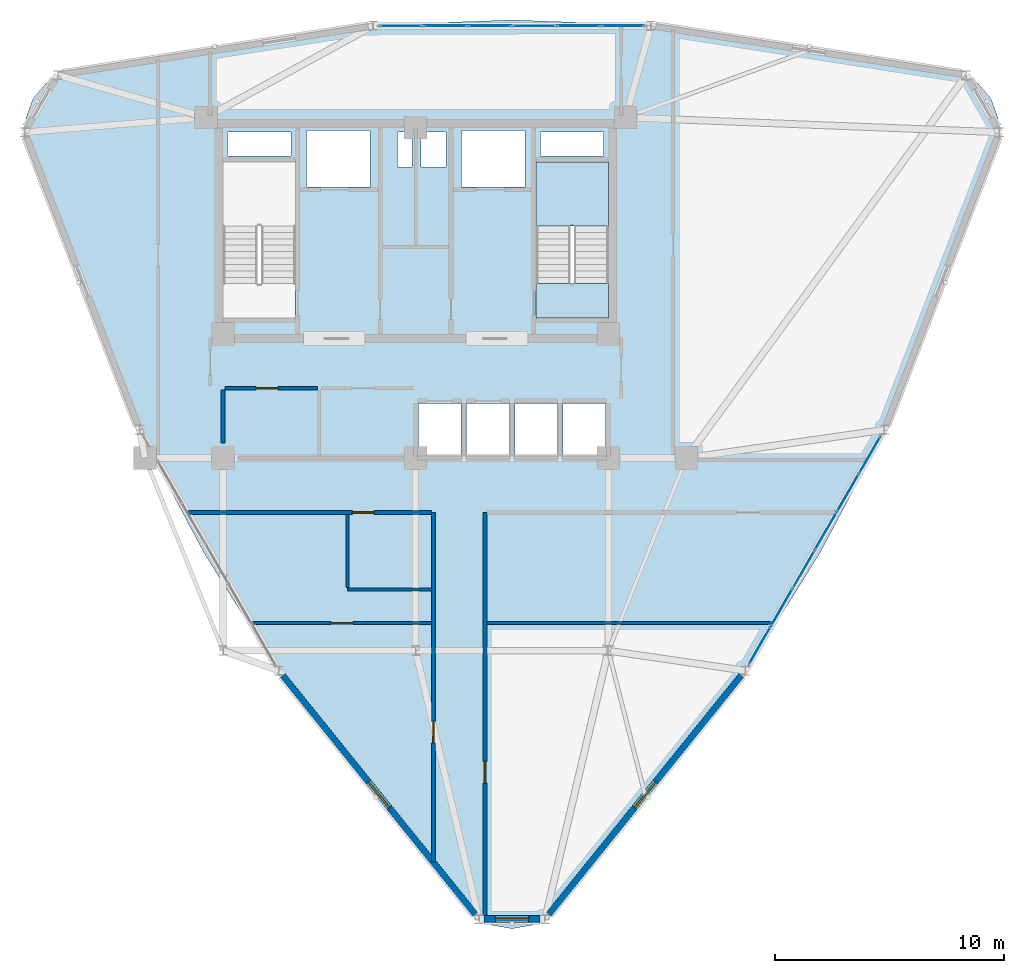
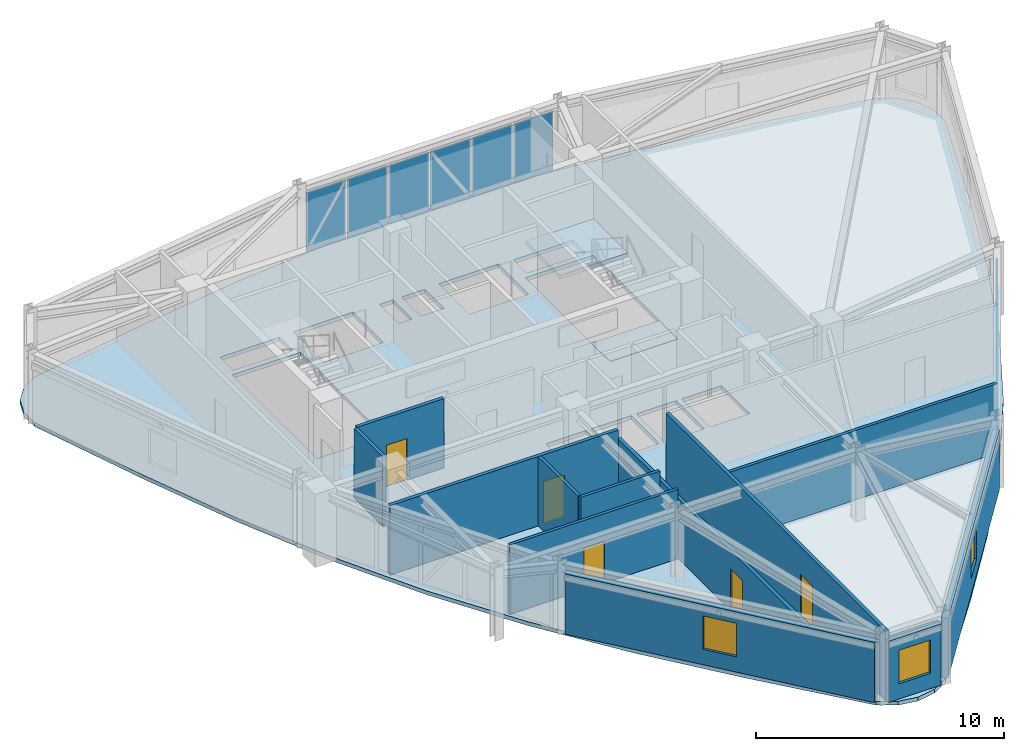
# One storey, part 12 of 16: 12 plates, 12 walls, 5 doors, 3 slabs, 3 windows, 8 openings, 3 elements without a shape of their own.
"""IFC4 building model written with IfcOpenShell, lengths in metres."""

from ifc_helpers import new_model, si_unit, derived_unit, direction, frame, frame_2d, origin, origin_2d, place, context, subcontext, project, spatial, polyline, rectangle, outline, extrude, source, transform, mapped, material, layer, layer_set, type_object, element, fill, aggregate, save


model = new_model("IFC4")

# Units and contexts
model_context = context("Model", 3, precision=1e-05, world=origin(), true_north=direction((0.0, 1.0)))
body_context = subcontext(model_context, "Body", "Model", "MODEL_VIEW")
ifc_project = project(units=[si_unit("LENGTHUNIT", "METRE"), si_unit("AREAUNIT", "SQUARE_METRE"), si_unit("VOLUMEUNIT", "CUBIC_METRE"), si_unit("PLANEANGLEUNIT", "RADIAN"), si_unit("MASSUNIT", "GRAM", prefix="KILO"), derived_unit("THERMALTRANSMITTANCEUNIT", [(si_unit("POWERUNIT", "WATT"), 1), (si_unit("LENGTHUNIT", "METRE"), -2), (si_unit("THERMODYNAMICTEMPERATUREUNIT", "KELVIN"), -1)])], contexts=[model_context])

# Site, building, storey
site_placement = place(None, origin())
site = spatial("IfcSite", under=ifc_project, at=site_placement, CompositionType="ELEMENT")
building_placement = place(site_placement, origin())
building = spatial("IfcBuilding", under=site, at=building_placement, Name="Korsvarv Bourse and Concert Hall", CompositionType="ELEMENT")
storey_placement = place(building_placement, frame((0.0, 0.0, 227.39990234375)))
storey = spatial("IfcBuildingStorey", under=building, at=storey_placement, Name="L59", CompositionType="ELEMENT", Elevation=227.39990234375)

# Slab
ifc_material_1 = material(Name="Precast concrete C45/55", Category="concrete")
ifc_layer_1 = layer(ifc_material_1, 0.199951171875)
ifc_layer_set_1 = layer_set([ifc_layer_1], Name="Precast concrete C45/55")
slab_type_1 = type_object("IfcSlabType", Name="SLB-FLND-T", PredefinedType="LANDING", material=ifc_layer_set_1)
slab_1_placement = place(storey_placement, frame((0.0, 0.0, -0.199951171875)))
element("IfcSlab", 1, at=slab_1_placement, inside=storey, type_object=slab_type_1, Name="L59 Stair ST-T2 Floor Landing Slab", PredefinedType="LANDING", context=body_context, shape_type="SweptSolid", body=[
    extrude(outline(polyline([(44.39990234375, 38.5), (44.39990234375, 40.0), (41.239990234375, 40.0), (41.239990234375, 38.5), (44.39990234375, 38.5)])), origin(), (0.0, 0.0, 1.0), 0.199951171875),
])

# Stair, slab
stair_type = type_object("IfcStairType", Name="STR-TYPE-04", PredefinedType="HALF_TURN_STAIR", material=ifc_material_1)
stair_placement = place(storey_placement, origin())
stair = element("IfcStair", 2, at=stair_placement, inside=storey, type_object=stair_type, Name="L59 Tower East Exit Stair ST-T2", PredefinedType="HALF_TURN_STAIR")
ifc_layer_2 = layer(ifc_material_1, 0.199951171875)
ifc_layer_set_2 = layer_set([ifc_layer_2], Name="Precast concrete C45/55")
slab_type_2 = type_object("IfcSlabType", Name="SLB-ST-LND", PredefinedType="LANDING", material=ifc_layer_set_2)
slab_2_placement = place(storey_placement, frame((0.0, 0.0, 1.60009765625)))
slab_2 = element("IfcSlab", 3, at=slab_2_placement, type_object=slab_type_2, Name="ST-T2 landing 1", PredefinedType="LANDING", context=body_context, shape_type="SweptSolid", body=[
    extrude(outline(polyline([(44.39990234375, 42.52001953125), (44.39990234375, 45.300048828125), (41.239990234375, 45.300048828125), (41.239990234375, 42.52001953125), (44.39990234375, 42.52001953125)])), origin(), (0.0, 0.0, 1.0), 0.199951171875),
])
aggregate(stair, [slab_2])

# Slab
ifc_material_2 = material(Name="Concrete C45/55", Category="concrete")
ifc_layer_3 = layer(ifc_material_2, 0.18994140625)
ifc_layer_set_3 = layer_set([ifc_layer_3], Name="Concrete C45/55")
slab_type_3 = type_object("IfcSlabType", Name="SLB-TW3", PredefinedType="FLOOR", material=ifc_layer_set_3)
slab_3_placement = place(storey_placement, frame((0.0, 0.0, -0.18994140625)))
element("IfcSlab", 4, at=slab_3_placement, inside=storey, type_object=slab_type_3, Name="L59 tower structural floor slab", PredefinedType="FLOOR", context=body_context, shape_type="SweptSolid", body=[
    extrude(outline(polyline([(61.0341796875, 45.40966796875), (59.4189453125, 40.951416015625), (57.701904296875, 36.576416015625), (55.791015625, 32.33349609375), (53.622314453125, 28.25048828125), (51.170654296875, 24.330810546875), (48.45166015625, 20.554443359375), (45.521240234375, 16.88037109375), (42.468017578125, 13.252197265625), (42.46728515625, 13.251220703125), (41.80859375, 12.466552734375), (41.055908203125, 12.031982421875), (40.199951171875, 11.881103515625), (39.343994140625, 12.031982421875), (38.59130859375, 12.466552734375), (37.932861328125, 13.251220703125), (37.931884765625, 13.252197265625), (34.878662109375, 16.88037109375), (31.9482421875, 20.554443359375), (29.229248046875, 24.330810546875), (26.777587890625, 28.25048828125), (24.60888671875, 32.33349609375), (22.697998046875, 36.576416015625), (20.981201171875, 40.951416015625), (19.365966796875, 45.40966796875), (19.365478515625, 45.410888671875), (19.01513671875, 46.37353515625), (19.01513671875, 47.24267578125), (19.3125, 48.059326171875), (19.87109375, 48.725341796875), (20.623779296875, 49.159912109375), (21.632568359375, 49.337890625), (21.6337890625, 49.337890625), (26.302490234375, 50.168212890625), (30.94970703125, 50.868896484375), (35.57958984375, 51.33544921875), (40.199951171875, 51.498779296875), (44.8203125, 51.33544921875), (49.4501953125, 50.868896484375), (54.097412109375, 50.168212890625), (58.76611328125, 49.337890625), (58.767333984375, 49.337890625), (59.776123046875, 49.159912109375), (60.52880859375, 48.725341796875), (61.087646484375, 48.059326171875), (61.385009765625, 47.24267578125), (61.385009765625, 46.37353515625), (61.03466796875, 45.410888671875), (61.0341796875, 45.40966796875)]), holes=[polyline([(30.760009765625, 38.5), (30.760009765625, 45.300048828125), (27.60009765625, 45.300048828125), (27.60009765625, 38.5), (30.760009765625, 38.5)]), polyline([(44.39990234375, 38.5), (44.39990234375, 45.300048828125), (41.239990234375, 45.300048828125), (41.239990234375, 38.5), (44.39990234375, 38.5)]), polyline([(31.239990234375, 44.219970703125), (34.0, 44.219970703125), (34.0, 46.679931640625), (31.239990234375, 46.679931640625), (31.239990234375, 44.219970703125)]), polyline([(38.0, 44.219970703125), (40.760009765625, 44.219970703125), (40.760009765625, 46.679931640625), (38.0, 46.679931640625), (38.0, 44.219970703125)]), polyline([(36.1201171875, 32.52001953125), (37.97998046875, 32.52001953125), (37.97998046875, 34.780029296875), (36.1201171875, 34.780029296875), (36.1201171875, 32.52001953125)]), polyline([(38.219970703125, 32.52001953125), (40.080078125, 32.52001953125), (40.080078125, 34.780029296875), (38.219970703125, 34.780029296875), (38.219970703125, 32.52001953125)]), polyline([(40.320068359375, 32.52001953125), (42.179931640625, 32.52001953125), (42.179931640625, 34.780029296875), (40.320068359375, 34.780029296875), (40.320068359375, 32.52001953125)]), polyline([(42.419921875, 32.52001953125), (44.280029296875, 32.52001953125), (44.280029296875, 34.780029296875), (42.419921875, 34.780029296875), (42.419921875, 32.52001953125)]), polyline([(27.800048828125, 45.56005859375), (30.56005859375, 45.56005859375), (30.56005859375, 46.6201171875), (27.800048828125, 46.6201171875), (27.800048828125, 45.56005859375)]), polyline([(41.43994140625, 45.56005859375), (44.199951171875, 45.56005859375), (44.199951171875, 46.6201171875), (41.43994140625, 46.6201171875), (41.43994140625, 45.56005859375)]), polyline([(35.199951171875, 45.080078125), (35.840087890625, 45.080078125), (35.840087890625, 46.6201171875), (35.199951171875, 46.6201171875), (35.199951171875, 45.080078125)]), polyline([(36.239990234375, 45.080078125), (37.320068359375, 45.080078125), (37.320068359375, 46.6201171875), (36.239990234375, 46.6201171875), (36.239990234375, 45.080078125)])]), origin(), (0.0, 0.0, 1.0), 0.18994140625),
])

# Curtain wall, plates
ifc_material_3 = material(Name="Anodised aluminium and triple low-E glazing", Category="glass")
ifc_layer_4 = layer(ifc_material_3, 0.199951171875)
ifc_layer_set_4 = layer_set([ifc_layer_4], Name="Anodised aluminium and triple low-E glazing")
curtain_wall_type = type_object("IfcCurtainWallType", Name="CW-SYS-3", PredefinedType="NOTDEFINED", material=ifc_layer_set_4)
curtain_wall_1_placement = place(storey_placement, origin())
curtain_wall_1 = element("IfcCurtainWall", 5, at=curtain_wall_1_placement, inside=storey, type_object=curtain_wall_type, Name="L59 CW3 curtain wall CW-L59-F03", PredefinedType="NOTDEFINED")
ifc_material_4 = material(Name="Tempered triple insulated low-E architectural glass", Category="glass")
ifc_layer_5 = layer(ifc_material_4, 0.0380859375)
ifc_layer_set_5 = layer_set([ifc_layer_5], Name="Tempered triple insulated low-E architectural glass")
plate_type_1 = type_object("IfcPlateType", Name="CWP-VIS2", PredefinedType="CURTAIN_PANEL", material=ifc_layer_set_5)
shared_shape_1 = source(origin(), body_context, "Body", "SweptSolid", [
    extrude(rectangle(XDim=1.831298828125, YDim=0.0380859375, at=origin_2d()), origin(), (0.0, 0.0, 1.0), 2.889892578125),
])
plate_1_placement = place(storey_placement, frame((45.023193359375, 51.2412109375, 0.06494140625), z_axis=(0.0, 0.0, 1.0), x_axis=(-1.0, 0.0, 0.0)))
plate_1 = element("IfcPlate", 6, at=plate_1_placement, type_object=plate_type_1, Name="CW3 faceted panel 1.1", PredefinedType="CURTAIN_PANEL", context=body_context, shape_type="MappedRepresentation", body=[
    mapped(shared_shape_1, transform((0.0, 0.0, 0.0), scale=1.0)),
])
shared_shape_2 = source(origin(), body_context, "Body", "SweptSolid", [
    extrude(rectangle(XDim=1.8662109375, YDim=0.0380859375, at=origin_2d()), origin(), (0.0, 0.0, 1.0), 2.889892578125),
])
plate_2_placement = place(storey_placement, frame((43.1044921875, 51.2412109375, 0.06494140625), z_axis=(0.0, 0.0, 1.0), x_axis=(-1.0, 0.0, 0.0)))
plate_2 = element("IfcPlate", 7, at=plate_2_placement, type_object=plate_type_1, Name="CW3 faceted panel 2.1", PredefinedType="CURTAIN_PANEL", context=body_context, shape_type="MappedRepresentation", body=[
    mapped(shared_shape_2, transform((0.0, 0.0, 0.0), scale=1.0)),
])
plate_3_placement = place(storey_placement, frame((39.23193359375, 51.2412109375, 0.06494140625), z_axis=(0.0, 0.0, 1.0), x_axis=(-1.0, 0.0, 0.0)))
plate_3 = element("IfcPlate", 8, at=plate_3_placement, type_object=plate_type_1, Name="CW3 faceted panel 4.1", PredefinedType="CURTAIN_PANEL", context=body_context, shape_type="MappedRepresentation", body=[
    mapped(shared_shape_2, transform((0.0, 0.0, 0.0), scale=1.0)),
])
plate_4_placement = place(storey_placement, frame((37.295654296875, 51.2412109375, 0.06494140625), z_axis=(0.0, 0.0, 1.0), x_axis=(-1.0, 0.0, 0.0)))
plate_4 = element("IfcPlate", 9, at=plate_4_placement, type_object=plate_type_1, Name="CW3 faceted panel 5.1", PredefinedType="CURTAIN_PANEL", context=body_context, shape_type="MappedRepresentation", body=[
    mapped(shared_shape_2, transform((0.0, 0.0, 0.0), scale=1.0)),
])
ifc_material_5 = material(Name="Insulated spandrel glass", Category="glass")
ifc_layer_6 = layer(ifc_material_5, 0.031982421875)
ifc_layer_set_6 = layer_set([ifc_layer_6], Name="Insulated spandrel glass")
plate_type_2 = type_object("IfcPlateType", Name="CWP-SPD1", PredefinedType="CURTAIN_PANEL", material=ifc_layer_set_6)
shared_shape_3 = source(origin(), body_context, "Body", "SweptSolid", [
    extrude(rectangle(XDim=1.8662109375, YDim=0.031982421875, at=origin_2d()), origin(), (0.0, 0.0, 1.0), 2.889892578125),
])
plate_5_placement = place(storey_placement, frame((41.168212890625, 51.2412109375, 0.06494140625), z_axis=(0.0, 0.0, 1.0), x_axis=(-1.0, 0.0, 0.0)))
plate_5 = element("IfcPlate", 10, at=plate_5_placement, type_object=plate_type_2, Name="CW3 spandrel shadow-box panel 3.1", PredefinedType="CURTAIN_PANEL", context=body_context, shape_type="MappedRepresentation", body=[
    mapped(shared_shape_3, transform((0.0, 0.0, 0.0), scale=1.0)),
])
shared_shape_4 = source(origin(), body_context, "Body", "SweptSolid", [
    extrude(rectangle(XDim=1.831298828125, YDim=0.031982421875, at=origin_2d()), origin(), (0.0, 0.0, 1.0), 2.889892578125),
])
plate_6_placement = place(storey_placement, frame((35.376953125, 51.2412109375, 0.06494140625), z_axis=(0.0, 0.0, 1.0), x_axis=(-1.0, 0.0, 0.0)))
plate_6 = element("IfcPlate", 11, at=plate_6_placement, type_object=plate_type_2, Name="CW3 spandrel shadow-box panel 6.1", PredefinedType="CURTAIN_PANEL", context=body_context, shape_type="MappedRepresentation", body=[
    mapped(shared_shape_4, transform((0.0, 0.0, 0.0), scale=1.0)),
])
aggregate(curtain_wall_1, [plate_1, plate_2, plate_5, plate_3, plate_4, plate_6])

curtain_wall_2_placement = place(storey_placement, origin())
curtain_wall_2 = element("IfcCurtainWall", 12, at=curtain_wall_2_placement, inside=storey, type_object=curtain_wall_type, Name="L59 CW3 curtain wall CW-L59-F11", PredefinedType="NOTDEFINED")
shared_shape_5 = source(origin(), body_context, "Body", "SweptSolid", [
    extrude(rectangle(XDim=1.816162109375, YDim=0.0380859375, at=origin_2d()), origin(), (0.0, 0.0, 1.0), 2.889892578125),
])
plate_7_placement = place(storey_placement, frame((51.00634765625, 24.23486328125, 0.06494140625), z_axis=(0.0, 0.0, 1.0), x_axis=(0.499996035044, 0.86602769294, 0.0)))
plate_7 = element("IfcPlate", 13, at=plate_7_placement, type_object=plate_type_1, Name="CW3 faceted panel 1.1", PredefinedType="CURTAIN_PANEL", context=body_context, shape_type="MappedRepresentation", body=[
    mapped(shared_shape_5, transform((0.0, 0.0, 0.0), scale=1.0)),
])
shared_shape_6 = source(origin(), body_context, "Body", "SweptSolid", [
    extrude(rectangle(XDim=1.851318359375, YDim=0.0380859375, at=origin_2d()), origin(), (0.0, 0.0, 1.0), 2.889892578125),
])
plate_8_placement = place(storey_placement, frame((51.958251953125, 25.883544921875, 0.06494140625), z_axis=(0.0, 0.0, 1.0), x_axis=(0.499996035044, 0.86602769294, 0.0)))
plate_8 = element("IfcPlate", 14, at=plate_8_placement, type_object=plate_type_1, Name="CW3 faceted panel 2.1", PredefinedType="CURTAIN_PANEL", context=body_context, shape_type="MappedRepresentation", body=[
    mapped(shared_shape_6, transform((0.0, 0.0, 0.0), scale=1.0)),
])
plate_9_placement = place(storey_placement, frame((53.879638671875, 29.21142578125, 0.06494140625), z_axis=(0.0, 0.0, 1.0), x_axis=(0.499996035044, 0.86602769294, 0.0)))
plate_9 = element("IfcPlate", 15, at=plate_9_placement, type_object=plate_type_1, Name="CW3 faceted panel 4.1", PredefinedType="CURTAIN_PANEL", context=body_context, shape_type="MappedRepresentation", body=[
    mapped(shared_shape_6, transform((0.0, 0.0, 0.0), scale=1.0)),
])
plate_10_placement = place(storey_placement, frame((54.840087890625, 30.875244140625, 0.06494140625), z_axis=(0.0, 0.0, 1.0), x_axis=(0.499996035044, 0.86602769294, 0.0)))
plate_10 = element("IfcPlate", 16, at=plate_10_placement, type_object=plate_type_1, Name="CW3 faceted panel 5.1", PredefinedType="CURTAIN_PANEL", context=body_context, shape_type="MappedRepresentation", body=[
    mapped(shared_shape_6, transform((0.0, 0.0, 0.0), scale=1.0)),
])
shared_shape_7 = source(origin(), body_context, "Body", "SweptSolid", [
    extrude(rectangle(XDim=1.851318359375, YDim=0.031982421875, at=origin_2d()), origin(), (0.0, 0.0, 1.0), 2.889892578125),
])
plate_11_placement = place(storey_placement, frame((52.9189453125, 27.547607421875, 0.06494140625), z_axis=(0.0, 0.0, 1.0), x_axis=(0.499996035044, 0.86602769294, 0.0)))
plate_11 = element("IfcPlate", 17, at=plate_11_placement, type_object=plate_type_2, Name="CW3 spandrel shadow-box panel 3.1", PredefinedType="CURTAIN_PANEL", context=body_context, shape_type="MappedRepresentation", body=[
    mapped(shared_shape_7, transform((0.0, 0.0, 0.0), scale=1.0)),
])
shared_shape_8 = source(origin(), body_context, "Body", "SweptSolid", [
    extrude(rectangle(XDim=1.816162109375, YDim=0.031982421875, at=origin_2d()), origin(), (0.0, 0.0, 1.0), 2.889892578125),
])
plate_12_placement = place(storey_placement, frame((55.7919921875, 32.52392578125, 0.06494140625), z_axis=(0.0, 0.0, 1.0), x_axis=(0.499996035044, 0.86602769294, 0.0)))
plate_12 = element("IfcPlate", 18, at=plate_12_placement, type_object=plate_type_2, Name="CW3 spandrel shadow-box panel 6.1", PredefinedType="CURTAIN_PANEL", context=body_context, shape_type="MappedRepresentation", body=[
    mapped(shared_shape_8, transform((0.0, 0.0, 0.0), scale=1.0)),
])
aggregate(curtain_wall_2, [plate_7, plate_8, plate_11, plate_9, plate_10, plate_12])

# Wall, opening, window
ifc_material_6 = material(Name="Precast concrete C45/55 with terracotta rainscreen", Category="concrete")
ifc_layer_7 = layer(ifc_material_6, 0.300048828125)
ifc_layer_set_7 = layer_set([ifc_layer_7], Name="Precast concrete C45/55 with terracotta rainscreen")
wall_type_1 = type_object("IfcWallType", Name="WL-EXT-TC1", PredefinedType="SOLIDWALL", material=ifc_layer_set_7)
wall_1_placement = place(storey_placement, frame((38.969482421875, 12.296142578125, 0.0), z_axis=(0.0, 0.0, 1.0), x_axis=(1.0, 0.0, 0.0)))
wall_1 = element("IfcWall", 19, at=wall_1_placement, inside=storey, type_object=wall_type_1, Name="L59 terracotta exterior wall EW-L59-B09", PredefinedType="SOLIDWALL", context=body_context, shape_type="SweptSolid", body=[
    extrude(rectangle(XDim=2.4609375, YDim=0.300048828125, at=frame_2d((1.23046875, 0.0))), origin(), (0.0, 0.0, 1.0), 3.02001953125),
])
opening_1_placement = place(wall_1_placement, frame((0.50537109375, 0.0, 0.75)))
opening_1 = element("IfcOpeningElement", 20, at=opening_1_placement, cuts=wall_1, Name="Opening W-02", PredefinedType="OPENING", context=body_context, shape_type="SweptSolid", body=[
    extrude(rectangle(XDim=1.449951171875, YDim=1.64990234375, at=frame_2d((0.72509765625, 0.824951171875))), frame((0.0, 0.16015625, 0.0), z_axis=(0.0, -1.0, 0.0), x_axis=(1.0, 0.0, 0.0)), (0.0, 0.0, 1.0), 0.320068359375),
])
ifc_material_7 = material(Name="Thermally broken aluminium frame with triple low-E glass", Category="glass")
window_type = type_object("IfcWindowType", Name="WIN-TW2", PartitioningType="SINGLE_PANEL", PredefinedType="WINDOW", material=ifc_material_7)
window_1_placement = place(opening_1_placement, origin())
window_1 = element("IfcWindow", 21, at=window_1_placement, inside=storey, type_object=window_type, Name="L59 punched facade window W-02", OverallHeight=1.64990234375, OverallWidth=1.449951171875, PartitioningType="SINGLE_PANEL", PredefinedType="WINDOW", context=body_context, shape_type="SweptSolid", body=[
    extrude(rectangle(XDim=1.449951171875, YDim=1.64990234375, at=frame_2d((0.72509765625, 0.824951171875))), frame((0.0, 0.030029296875, 0.0), z_axis=(0.0, -1.0, 0.0), x_axis=(1.0, 0.0, 0.0)), (0.0, 0.0, 1.0), 0.06005859375),
])
fill(opening_1, window_1)

ifc_material_8 = material(Name="Precast concrete C45/55 with fluted terracotta pier", Category="concrete")
ifc_layer_8 = layer(ifc_material_8, 0.280029296875)
ifc_layer_set_8 = layer_set([ifc_layer_8], Name="Precast concrete C45/55 with fluted terracotta pier")
wall_type_2 = type_object("IfcWallType", Name="WL-EXT-TC2", PredefinedType="SOLIDWALL", material=ifc_layer_set_8)
wall_2_placement = place(storey_placement, frame((30.203369140625, 22.916748046875, 0.0), z_axis=(0.0, 0.0, 1.0), x_axis=(0.627453225305, -0.778654255786, 0.0)))
wall_2 = element("IfcWall", 22, at=wall_2_placement, inside=storey, type_object=wall_type_2, Name="L59 terracotta exterior wall EW-L59-B08", PredefinedType="SOLIDWALL", context=body_context, shape_type="SweptSolid", body=[
    extrude(rectangle(XDim=13.3662109375, YDim=0.280029296875, at=frame_2d((6.68310546875, 0.0))), origin(), (0.0, 0.0, 1.0), 2.960205078125),
])
opening_2_placement = place(wall_2_placement, frame((5.9580078125, 0.0, 0.75)))
opening_2 = element("IfcOpeningElement", 23, at=opening_2_placement, cuts=wall_2, Name="Opening W-02", PredefinedType="OPENING", context=body_context, shape_type="SweptSolid", body=[
    extrude(rectangle(XDim=1.449951171875, YDim=1.64990234375, at=frame_2d((0.72509765625, 0.824951171875))), frame((0.0, 0.14990234375, 0.0), z_axis=(0.0, -1.0, 0.0), x_axis=(1.0, 0.0, 0.0)), (0.0, 0.0, 1.0), 0.300048828125),
])
window_2_placement = place(opening_2_placement, origin())
window_2 = element("IfcWindow", 24, at=window_2_placement, inside=storey, type_object=window_type, Name="L59 punched facade window W-02", OverallHeight=1.64990234375, OverallWidth=1.449951171875, PartitioningType="SINGLE_PANEL", PredefinedType="WINDOW", context=body_context, shape_type="SweptSolid", body=[
    extrude(rectangle(XDim=1.449951171875, YDim=1.64990234375, at=frame_2d((0.72509765625, 0.824951171875))), frame((0.0, 0.030029296875, 0.0), z_axis=(0.0, -1.0, 0.0), x_axis=(1.0, 0.0, 0.0)), (0.0, 0.0, 1.0), 0.06005859375),
])
fill(opening_2, window_2)

wall_3_placement = place(storey_placement, frame((41.81005859375, 12.509033203125, 0.0), z_axis=(0.0, 0.0, 1.0), x_axis=(0.627453225305, 0.778654255786, 0.0)))
wall_3 = element("IfcWall", 25, at=wall_3_placement, inside=storey, type_object=wall_type_2, Name="L59 terracotta exterior wall EW-L59-B10", PredefinedType="SOLIDWALL", context=body_context, shape_type="SweptSolid", body=[
    extrude(rectangle(XDim=13.3662109375, YDim=0.280029296875, at=frame_2d((6.68310546875, 0.0))), origin(), (0.0, 0.0, 1.0), 2.960205078125),
])
opening_3_placement = place(wall_3_placement, frame((5.9580078125, 0.0, 0.75)))
opening_3 = element("IfcOpeningElement", 26, at=opening_3_placement, cuts=wall_3, Name="Opening W-02", PredefinedType="OPENING", context=body_context, shape_type="SweptSolid", body=[
    extrude(rectangle(XDim=1.449951171875, YDim=1.64990234375, at=frame_2d((0.72509765625, 0.824951171875))), frame((0.0, 0.14990234375, 0.0), z_axis=(0.0, -1.0, 0.0), x_axis=(1.0, 0.0, 0.0)), (0.0, 0.0, 1.0), 0.300048828125),
])
window_3_placement = place(opening_3_placement, origin())
window_3 = element("IfcWindow", 27, at=window_3_placement, inside=storey, type_object=window_type, Name="L59 punched facade window W-02", OverallHeight=1.64990234375, OverallWidth=1.449951171875, PartitioningType="SINGLE_PANEL", PredefinedType="WINDOW", context=body_context, shape_type="SweptSolid", body=[
    extrude(rectangle(XDim=1.449951171875, YDim=1.64990234375, at=frame_2d((0.72509765625, 0.824951171875))), frame((0.0, 0.030029296875, 0.0), z_axis=(0.0, -1.0, 0.0), x_axis=(1.0, 0.0, 0.0)), (0.0, 0.0, 1.0), 0.06005859375),
])
fill(opening_3, window_3)

# Wall
ifc_material_9 = material(Name="Double-stud fire-rated acoustic partition", Category="gypsum")
ifc_layer_9 = layer(ifc_material_9, 0.159912109375)
ifc_layer_set_9 = layer_set([ifc_layer_9], Name="Double-stud fire-rated acoustic partition")
wall_type_3 = type_object("IfcWallType", Name="WL-INT-EI60", PredefinedType="PARTITIONING", material=ifc_layer_set_9)
wall_4_placement = place(storey_placement, frame((27.60009765625, 33.050048828125, 0.0), z_axis=(0.0, 0.0, 1.0), x_axis=(0.0, 1.0, 0.0)))
element("IfcWall", 28, at=wall_4_placement, inside=storey, type_object=wall_type_3, Name="L59 interior partition wall W-L59-FRD-W", PredefinedType="PARTITIONING", context=body_context, shape_type="SweptSolid", body=[
    extrude(rectangle(XDim=2.31005859375, YDim=0.159912109375, at=frame_2d((1.155029296875, 0.0))), origin(), (0.0, 0.0, 1.0), 3.41015625),
])

# Wall, opening, door
wall_5_placement = place(storey_placement, frame((27.68994140625, 35.449951171875, 0.0), z_axis=(0.0, 0.0, 1.0), x_axis=(1.0, 0.0, 0.0)))
wall_5 = element("IfcWall", 29, at=wall_5_placement, inside=storey, type_object=wall_type_3, Name="L59 interior partition wall W-L59-FRD-N1", PredefinedType="PARTITIONING", context=body_context, shape_type="SweptSolid", body=[
    extrude(rectangle(XDim=4.030029296875, YDim=0.159912109375, at=frame_2d((2.01513671875, 0.0))), origin(), (0.0, 0.0, 1.0), 3.41015625),
])
opening_4_placement = place(wall_5_placement, frame((1.35009765625, 0.0, 0.0)))
opening_4 = element("IfcOpeningElement", 30, at=opening_4_placement, cuts=wall_5, Name="Opening D-03", PredefinedType="OPENING", context=body_context, shape_type="SweptSolid", body=[
    extrude(rectangle(XDim=0.949951171875, YDim=2.050048828125, at=frame_2d((0.47509765625, 1.02490234375))), frame((0.0, 0.08984375, 0.0), z_axis=(0.0, -1.0, 0.0), x_axis=(1.0, 0.0, 0.0)), (0.0, 0.0, 1.0), 0.179931640625),
])
ifc_material_10 = material(Name="Nordic oak acoustic office door", Category="wood")
door_type_1 = type_object("IfcDoorType", Name="DR-INT-1", OperationType="NOTDEFINED", PredefinedType="DOOR", material=ifc_material_10)
door_1_placement = place(opening_4_placement, origin())
door_1 = element("IfcDoor", 31, at=door_1_placement, inside=storey, type_object=door_type_1, Name="L59 interior door DR-L59-FRDN1", OperationType="SINGLE_SWING_RIGHT", OverallHeight=2.050048828125, OverallWidth=0.949951171875, PredefinedType="DOOR", context=body_context, shape_type="SweptSolid", body=[
    extrude(rectangle(XDim=0.949951171875, YDim=2.050048828125, at=frame_2d((0.47509765625, 1.02490234375))), frame((0.0, 0.02490234375, 0.0), z_axis=(0.0, -1.0, 0.0), x_axis=(1.0, 0.0, 0.0)), (0.0, 0.0, 1.0), 0.050048828125),
])
fill(opening_4, door_1)

wall_6_placement = place(storey_placement, frame((39.02490234375, 12.316162109375, 0.0), z_axis=(0.0, 0.0, 1.0), x_axis=(0.0, 1.0, 0.0)))
wall_6 = element("IfcWall", 32, at=wall_6_placement, inside=storey, type_object=wall_type_3, Name="L59 interior partition wall W-L59-TCOR-02", PredefinedType="PARTITIONING", context=body_context, shape_type="SweptSolid", body=[
    extrude(rectangle(XDim=17.7138671875, YDim=0.159912109375, at=frame_2d((8.85693359375, 0.0))), origin(), (0.0, 0.0, 1.0), 3.41015625),
])
opening_5_placement = place(wall_6_placement, frame((5.914306640625, 0.0, 0.0)))
opening_5 = element("IfcOpeningElement", 33, at=opening_5_placement, cuts=wall_6, Name="Opening D-02", PredefinedType="OPENING", context=body_context, shape_type="SweptSolid", body=[
    extrude(rectangle(XDim=0.949951171875, YDim=2.050048828125, at=frame_2d((0.47509765625, 1.02490234375))), frame((0.0, 0.08984375, 0.0), z_axis=(0.0, -1.0, 0.0), x_axis=(1.0, 0.0, 0.0)), (0.0, 0.0, 1.0), 0.179931640625),
])
ifc_material_11 = material(Name="Timber and steel acoustic fire door", Category="wood")
door_type_2 = type_object("IfcDoorType", Name="DR-FD30", OperationType="NOTDEFINED", PredefinedType="DOOR", material=ifc_material_11)
door_2_placement = place(opening_5_placement, origin())
door_2 = element("IfcDoor", 34, at=door_2_placement, inside=storey, type_object=door_type_2, Name="L59 interior door DR-L59-TCOR-PRE2", OperationType="SINGLE_SWING_LEFT", OverallHeight=2.050048828125, OverallWidth=0.949951171875, PredefinedType="DOOR", context=body_context, shape_type="SweptSolid", body=[
    extrude(rectangle(XDim=0.949951171875, YDim=2.050048828125, at=frame_2d((0.47509765625, 1.02490234375))), frame((0.0, 0.02490234375, 0.0), z_axis=(0.0, -1.0, 0.0), x_axis=(1.0, 0.0, 0.0)), (0.0, 0.0, 1.0), 0.050048828125),
])
fill(opening_5, door_2)

wall_7_placement = place(storey_placement, frame((36.77490234375, 14.781494140625, 0.0), z_axis=(0.0, 0.0, 1.0), x_axis=(0.0, 1.0, 0.0)))
wall_7 = element("IfcWall", 35, at=wall_7_placement, inside=storey, type_object=wall_type_3, Name="L59 interior partition wall W-L59-TCOR-05", PredefinedType="PARTITIONING", context=body_context, shape_type="SweptSolid", body=[
    extrude(rectangle(XDim=15.24853515625, YDim=0.159912109375, at=frame_2d((7.624267578125, 0.0))), origin(), (0.0, 0.0, 1.0), 2.960205078125),
])
opening_6_placement = place(wall_7_placement, frame((5.184814453125, 0.0, 0.0)))
opening_6 = element("IfcOpeningElement", 36, at=opening_6_placement, cuts=wall_7, Name="Opening D-02", PredefinedType="OPENING", context=body_context, shape_type="SweptSolid", body=[
    extrude(rectangle(XDim=0.949951171875, YDim=2.050048828125, at=frame_2d((0.47509765625, 1.02490234375))), frame((0.0, 0.08984375, 0.0), z_axis=(0.0, -1.0, 0.0), x_axis=(1.0, 0.0, 0.0)), (0.0, 0.0, 1.0), 0.179931640625),
])
door_3_placement = place(opening_6_placement, origin())
door_3 = element("IfcDoor", 37, at=door_3_placement, inside=storey, type_object=door_type_2, Name="L59 interior door DR-L59-TCOR-PRW5", OperationType="SINGLE_SWING_RIGHT", OverallHeight=2.050048828125, OverallWidth=0.949951171875, PredefinedType="DOOR", context=body_context, shape_type="SweptSolid", body=[
    extrude(rectangle(XDim=0.949951171875, YDim=2.050048828125, at=frame_2d((0.47509765625, 1.02490234375))), frame((0.0, 0.02490234375, 0.0), z_axis=(0.0, -1.0, 0.0), x_axis=(1.0, 0.0, 0.0)), (0.0, 0.0, 1.0), 0.050048828125),
])
fill(opening_6, door_3)

wall_8_placement = place(storey_placement, frame((26.07080078125, 30.02490234375, 0.0), z_axis=(0.0, 0.0, 1.0), x_axis=(1.0, 0.0, 0.0)))
wall_8 = element("IfcWall", 38, at=wall_8_placement, inside=storey, type_object=wall_type_3, Name="L59 interior partition wall W-L59-TCOR-06", PredefinedType="PARTITIONING", context=body_context, shape_type="SweptSolid", body=[
    extrude(rectangle(XDim=10.622314453125, YDim=0.159912109375, at=frame_2d((5.31103515625, 0.0))), origin(), (0.0, 0.0, 1.0), 3.41015625),
])
opening_7_placement = place(wall_8_placement, frame((7.169189453125, 0.0, 0.0)))
opening_7 = element("IfcOpeningElement", 39, at=opening_7_placement, cuts=wall_8, Name="Opening D-02", PredefinedType="OPENING", context=body_context, shape_type="SweptSolid", body=[
    extrude(rectangle(XDim=0.949951171875, YDim=2.050048828125, at=frame_2d((0.47509765625, 1.02490234375))), frame((0.0, 0.08984375, 0.0), z_axis=(0.0, -1.0, 0.0), x_axis=(1.0, 0.0, 0.0)), (0.0, 0.0, 1.0), 0.179931640625),
])
door_4_placement = place(opening_7_placement, origin())
door_4 = element("IfcDoor", 40, at=door_4_placement, inside=storey, type_object=door_type_2, Name="L59 interior door DR-L59-TCOR-RWC", OperationType="SINGLE_SWING_LEFT", OverallHeight=2.050048828125, OverallWidth=0.949951171875, PredefinedType="DOOR", context=body_context, shape_type="SweptSolid", body=[
    extrude(rectangle(XDim=0.949951171875, YDim=2.050048828125, at=frame_2d((0.47509765625, 1.02490234375))), frame((0.0, 0.02490234375, 0.0), z_axis=(0.0, -1.0, 0.0), x_axis=(1.0, 0.0, 0.0)), (0.0, 0.0, 1.0), 0.050048828125),
])
fill(opening_7, door_4)

# Wall
ifc_material_12 = material(Name="Insulated steel-stud office acoustic partition", Category="gypsum")
ifc_layer_10 = layer(ifc_material_12, 0.139892578125)
ifc_layer_set_10 = layer_set([ifc_layer_10], Name="Insulated steel-stud office acoustic partition")
wall_type_4 = type_object("IfcWallType", Name="WL-INT-P1", PredefinedType="PARTITIONING", material=ifc_layer_set_10)
wall_9_placement = place(storey_placement, frame((39.10693359375, 25.205078125, 0.0), z_axis=(0.0, 0.0, 1.0), x_axis=(1.0, 0.0, 0.0)))
element("IfcWall", 41, at=wall_9_placement, inside=storey, type_object=wall_type_4, Name="L59 interior partition wall W-L59-TCOR-10", PredefinedType="PARTITIONING", context=body_context, shape_type="SweptSolid", body=[
    extrude(rectangle(XDim=12.439453125, YDim=0.139892578125, at=frame_2d((6.2197265625, 0.0))), origin(), (0.0, 0.0, 1.0), 3.41015625),
])

# Wall, opening, door
wall_10_placement = place(storey_placement, frame((28.853515625, 25.205078125, 0.0), z_axis=(0.0, 0.0, 1.0), x_axis=(1.0, 0.0, 0.0)))
wall_10 = element("IfcWall", 42, at=wall_10_placement, inside=storey, type_object=wall_type_4, Name="L59 interior partition wall W-L59-TCOR-11", PredefinedType="PARTITIONING", context=body_context, shape_type="SweptSolid", body=[
    extrude(rectangle(XDim=7.839599609375, YDim=0.139892578125, at=frame_2d((3.919921875, 0.0))), origin(), (0.0, 0.0, 1.0), 3.41015625),
])
opening_8_placement = place(wall_10_placement, frame((3.458740234375, 0.0, 0.0)))
opening_8 = element("IfcOpeningElement", 43, at=opening_8_placement, cuts=wall_10, Name="Opening D-03", PredefinedType="OPENING", context=body_context, shape_type="SweptSolid", body=[
    extrude(rectangle(XDim=0.949951171875, YDim=2.050048828125, at=frame_2d((0.47509765625, 1.02490234375))), frame((0.0, 0.080078125, 0.0), z_axis=(0.0, -1.0, 0.0), x_axis=(1.0, 0.0, 0.0)), (0.0, 0.0, 1.0), 0.159912109375),
])
door_5_placement = place(opening_8_placement, origin())
door_5 = element("IfcDoor", 44, at=door_5_placement, inside=storey, type_object=door_type_1, Name="L59 interior door DR-L59-TCOR-CIN6", OperationType="SINGLE_SWING_LEFT", OverallHeight=2.050048828125, OverallWidth=0.949951171875, PredefinedType="DOOR", context=body_context, shape_type="SweptSolid", body=[
    extrude(rectangle(XDim=0.949951171875, YDim=2.050048828125, at=frame_2d((0.47509765625, 1.02490234375))), frame((0.0, 0.02490234375, 0.0), z_axis=(0.0, -1.0, 0.0), x_axis=(1.0, 0.0, 0.0)), (0.0, 0.0, 1.0), 0.050048828125),
])
fill(opening_8, door_5)

# Walls
wall_11_placement = place(storey_placement, frame((33.02001953125, 26.675048828125, 0.0), z_axis=(0.0, 0.0, 1.0), x_axis=(1.0, 0.0, 0.0)))
element("IfcWall", 45, at=wall_11_placement, inside=storey, type_object=wall_type_4, Name="L59 interior partition wall W-L59-TCOR-12", PredefinedType="PARTITIONING", context=body_context, shape_type="SweptSolid", body=[
    extrude(rectangle(XDim=3.673095703125, YDim=0.139892578125, at=frame_2d((1.83642578125, 0.0))), origin(), (0.0, 0.0, 1.0), 3.41015625),
])
wall_12_placement = place(storey_placement, frame((33.02490234375, 26.7470703125, 0.0), z_axis=(0.0, 0.0, 1.0), x_axis=(0.0, 1.0, 0.0)))
element("IfcWall", 46, at=wall_12_placement, inside=storey, type_object=wall_type_4, Name="L59 interior partition wall W-L59-TCOR-13", PredefinedType="PARTITIONING", context=body_context, shape_type="SweptSolid", body=[
    extrude(rectangle(XDim=3.196044921875, YDim=0.139892578125, at=frame_2d((1.59814453125, 0.0))), origin(), (0.0, 0.0, 1.0), 3.41015625),
])

save(model, "model.ifc")
